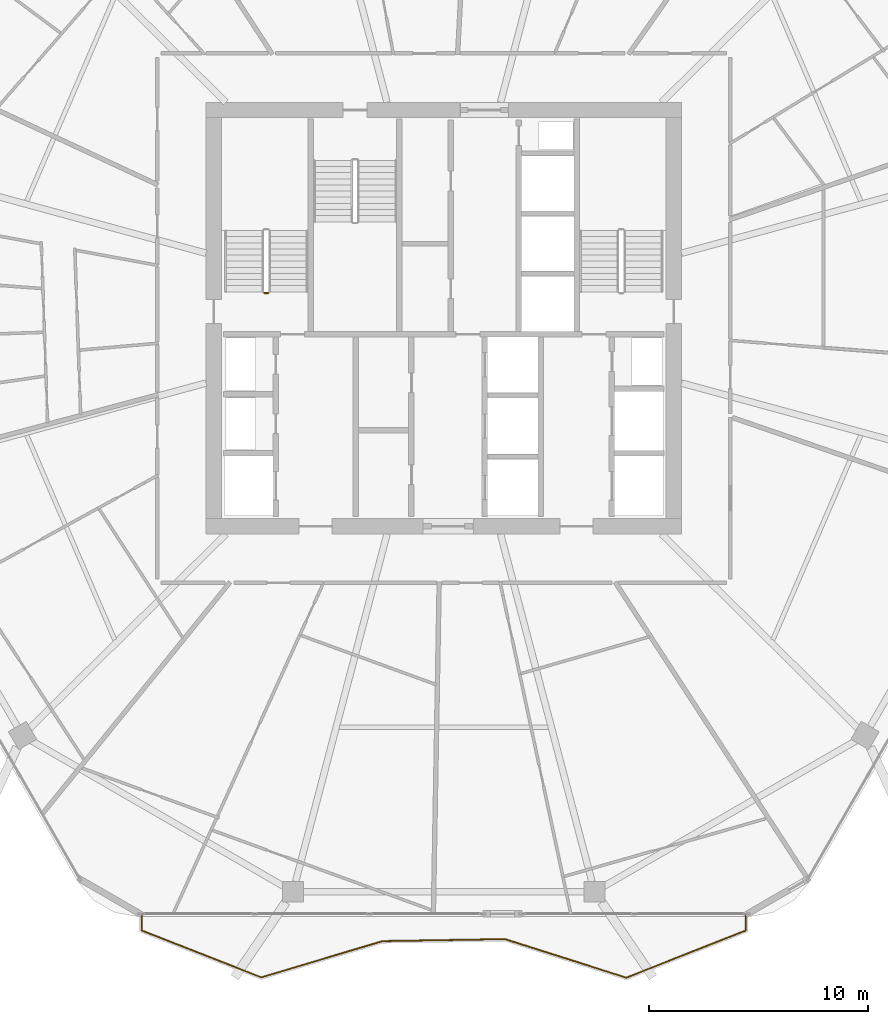
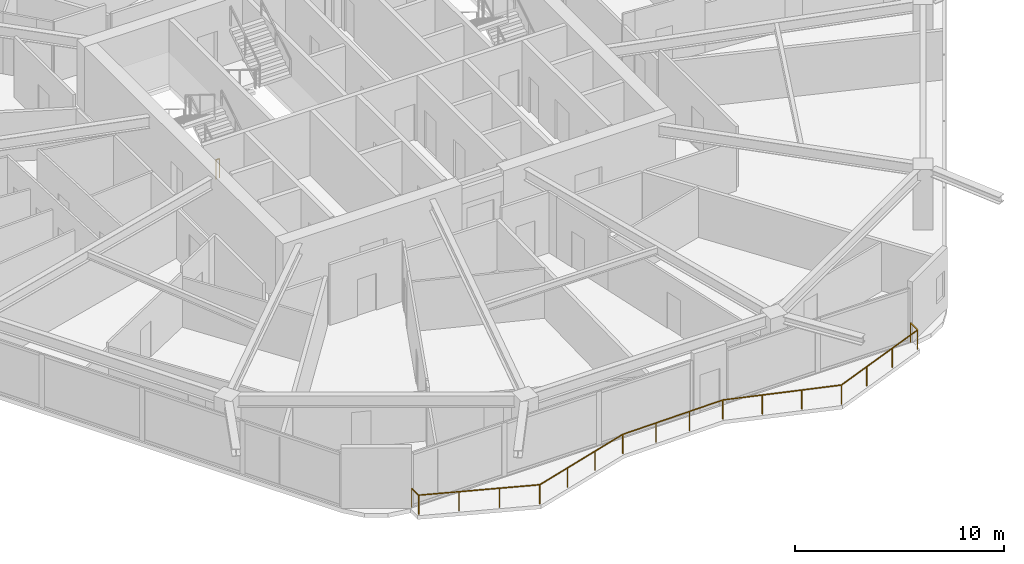
# One storey, part 25 of 27: 2 railings.
"""IFC4 building model written with IfcOpenShell, lengths in metres."""

from ifc_helpers import new_model, si_unit, direction, frame, origin, origin_2d, place, context, subcontext, project, spatial, rectangle, extrude, material, type_object, element, save


model = new_model("IFC4")

# Units and contexts
model_context = context("Model", 3, precision=1e-05, world=origin(), true_north=direction((0.0, 1.0)))
body_context = subcontext(model_context, "Body", "Model", "MODEL_VIEW")
ifc_project = project(units=[si_unit("LENGTHUNIT", "METRE"), si_unit("AREAUNIT", "SQUARE_METRE"), si_unit("VOLUMEUNIT", "CUBIC_METRE"), si_unit("PLANEANGLEUNIT", "RADIAN"), si_unit("MASSUNIT", "GRAM", prefix="KILO")], contexts=[model_context])

# Site, building, storey
site_placement = place(None, origin())
site = spatial("IfcSite", under=ifc_project, at=site_placement, CompositionType="ELEMENT")
building_placement = place(site_placement, origin())
building = spatial("IfcBuilding", under=site, at=building_placement, Name="Zuhravey Tower", CompositionType="ELEMENT")
storey_placement = place(building_placement, frame((0.0, 0.0, 218.800048828125)))
storey = spatial("IfcBuildingStorey", under=building, at=storey_placement, Name="L55", CompositionType="ELEMENT", Elevation=218.800048828125)

# Railings
ifc_material_1 = material(Name="Stainless steel 316 and laminated glass", Category="steel")
railing_type_1 = type_object("IfcRailingType", Name="Balcony & Terrace Guardrail 1150", PredefinedType="BALUSTRADE", material=ifc_material_1)
railing_1_placement = place(storey_placement, frame((49.7900390625, 4.73193359375, 0.0)))
element("IfcRailing", 1, at=railing_1_placement, inside=storey, type_object=railing_type_1, Name="L55 Face 5 Wave Balcony Guardrail GR1", PredefinedType="BALUSTRADE", context=body_context, shape_type="SweptSolid", body=[
    extrude(rectangle(XDim=0.048095703125, YDim=0.048095703125, at=origin_2d()), frame((0.0, -0.001953125, 1.1259765625), z_axis=(0.0, -1.0, 0.0), x_axis=(1.0, 0.0, 0.0)), (0.0, 0.0, 1.0), 0.668212890625),
    extrude(rectangle(XDim=0.048095703125, YDim=0.048095703125, at=origin_2d()), frame((-0.001953125, -0.6728515625, 1.1259765625), z_axis=(-0.930034443492, -0.367472358033, 0.0), x_axis=(0.367472358033, -0.930034443492, 0.0)), (0.0, 0.0, 1.0), 5.866455078125),
    extrude(rectangle(XDim=0.048095703125, YDim=0.048095703125, at=origin_2d()), frame((-5.461669921875, -2.828857421875, 1.1259765625), z_axis=(-0.953071356351, 0.302745750926, 0.0), x_axis=(-0.302745750926, -0.953071356351, 0.0)), (0.0, 0.0, 1.0), 5.80615234375),
    extrude(rectangle(XDim=0.048095703125, YDim=0.048095703125, at=origin_2d()), frame((-10.999267578125, -1.0703125, 1.1259765625), z_axis=(-0.999867864414, -0.016255882416, 0.0), x_axis=(0.016255882416, -0.999867864414, 0.0)), (0.0, 0.0, 1.0), 5.5830078125),
    extrude(rectangle(XDim=0.048095703125, YDim=0.048095703125, at=origin_2d()), frame((-16.58544921875, -1.16162109375, 1.1259765625), z_axis=(-0.95809101423, -0.286463974091, 0.0), x_axis=(0.286463974091, -0.95809101423, 0.0)), (0.0, 0.0, 1.0), 5.7744140625),
    extrude(rectangle(XDim=0.048095703125, YDim=0.048095703125, at=origin_2d()), frame((-22.12158203125, -2.815673828125, 1.1259765625), z_axis=(-0.930788920191, 0.365557090001, 0.0), x_axis=(-0.365557090001, -0.930788920191, 0.0)), (0.0, 0.0, 1.0), 5.862548828125),
    extrude(rectangle(XDim=0.048095703125, YDim=0.048095703125, at=origin_2d()), frame((-27.580078125, -0.669921875, 1.1259765625), z_axis=(0.0, 1.0, 0.0), x_axis=(-1.0, 0.0, 0.0)), (0.0, 0.0, 1.0), 0.66796875),
    extrude(rectangle(XDim=0.0419921875, YDim=0.0419921875, at=origin_2d()), origin(), (0.0, 0.0, 1.0), 1.099853515625),
    extrude(rectangle(XDim=0.0419921875, YDim=0.0419921875, at=origin_2d()), frame((0.0, -0.672119140625, 0.0)), (0.0, 0.0, 1.0), 1.099853515625),
    extrude(rectangle(XDim=0.0419921875, YDim=0.0419921875, at=origin_2d()), frame((-1.81982421875, -1.39111328125, 0.0)), (0.0, 0.0, 1.0), 1.099853515625),
    extrude(rectangle(XDim=0.0419921875, YDim=0.0419921875, at=origin_2d()), frame((-3.639892578125, -2.1103515625, 0.0)), (0.0, 0.0, 1.0), 1.099853515625),
    extrude(rectangle(XDim=0.0419921875, YDim=0.0419921875, at=origin_2d()), frame((-5.459716796875, -2.829345703125, 0.0)), (0.0, 0.0, 1.0), 1.099853515625),
    extrude(rectangle(XDim=0.0419921875, YDim=0.0419921875, at=origin_2d()), frame((-7.3056640625, -2.242919921875, 0.0)), (0.0, 0.0, 1.0), 1.099853515625),
    extrude(rectangle(XDim=0.0419921875, YDim=0.0419921875, at=origin_2d()), frame((-9.1513671875, -1.65673828125, 0.0)), (0.0, 0.0, 1.0), 1.099853515625),
    extrude(rectangle(XDim=0.0419921875, YDim=0.0419921875, at=origin_2d()), frame((-10.997314453125, -1.0703125, 0.0)), (0.0, 0.0, 1.0), 1.099853515625),
    extrude(rectangle(XDim=0.0419921875, YDim=0.0419921875, at=origin_2d()), frame((-12.859375, -1.1005859375, 0.0)), (0.0, 0.0, 1.0), 1.099853515625),
    extrude(rectangle(XDim=0.0419921875, YDim=0.0419921875, at=origin_2d()), frame((-14.721435546875, -1.130859375, 0.0)), (0.0, 0.0, 1.0), 1.099853515625),
    extrude(rectangle(XDim=0.0419921875, YDim=0.0419921875, at=origin_2d()), frame((-16.58349609375, -1.1611328125, 0.0)), (0.0, 0.0, 1.0), 1.099853515625),
    extrude(rectangle(XDim=0.0419921875, YDim=0.0419921875, at=origin_2d()), frame((-18.428955078125, -1.712890625, 0.0)), (0.0, 0.0, 1.0), 1.099853515625),
    extrude(rectangle(XDim=0.0419921875, YDim=0.0419921875, at=origin_2d()), frame((-20.274169921875, -2.2646484375, 0.0)), (0.0, 0.0, 1.0), 1.099853515625),
    extrude(rectangle(XDim=0.0419921875, YDim=0.0419921875, at=origin_2d()), frame((-22.11962890625, -2.81640625, 0.0)), (0.0, 0.0, 1.0), 1.099853515625),
    extrude(rectangle(XDim=0.0419921875, YDim=0.0419921875, at=origin_2d()), frame((-23.939697265625, -2.1015625, 0.0)), (0.0, 0.0, 1.0), 1.099853515625),
    extrude(rectangle(XDim=0.0419921875, YDim=0.0419921875, at=origin_2d()), frame((-25.760009765625, -1.38671875, 0.0)), (0.0, 0.0, 1.0), 1.099853515625),
    extrude(rectangle(XDim=0.0419921875, YDim=0.0419921875, at=origin_2d()), frame((-27.580078125, -0.671875, 0.0)), (0.0, 0.0, 1.0), 1.099853515625),
    extrude(rectangle(XDim=0.0419921875, YDim=0.0419921875, at=origin_2d()), frame((-27.580078125, 0.0, 0.0)), (0.0, 0.0, 1.0), 1.099853515625),
])
ifc_material_2 = material(Name="Painted tubular steel", Category="steel")
railing_type_2 = type_object("IfcRailingType", Name="Stair Well Guardrail 1150", PredefinedType="GUARDRAIL", material=ifc_material_2)
railing_2_placement = place(storey_placement, frame((28.0, 33.14990234375, 0.0)))
element("IfcRailing", 2, at=railing_2_placement, inside=storey, type_object=railing_type_2, Name="L55 ST1 stair guard 4", PredefinedType="GUARDRAIL", context=body_context, shape_type="SweptSolid", body=[
    extrude(rectangle(XDim=0.048095703125, YDim=0.048095703125, at=origin_2d()), frame((-0.001953125, 0.0, 1.1259765625), z_axis=(-1.0, 0.0, 0.0), x_axis=(0.0, -1.0, 0.0)), (0.0, 0.0, 1.0), 0.196044921875),
    extrude(rectangle(XDim=0.0419921875, YDim=0.0419921875, at=origin_2d()), origin(), (0.0, 0.0, 1.0), 1.099853515625),
    extrude(rectangle(XDim=0.0419921875, YDim=0.0419921875, at=origin_2d()), frame((-0.199951171875, 0.0, 0.0)), (0.0, 0.0, 1.0), 1.099853515625),
])

save(model, "model.ifc")
